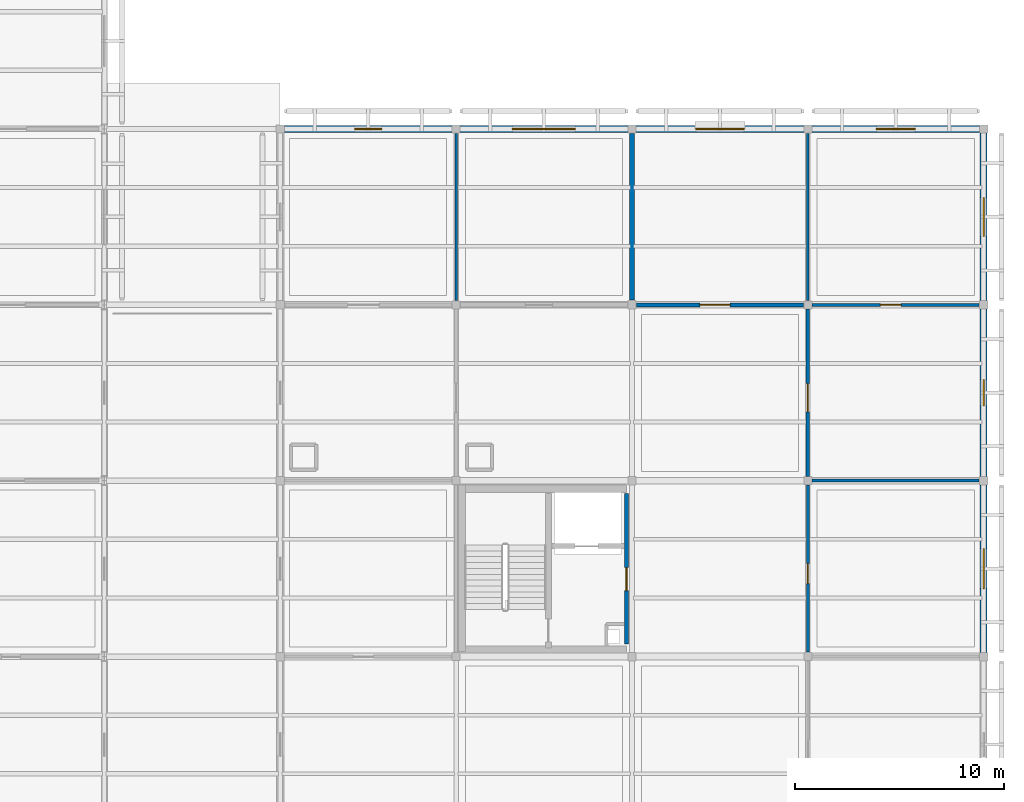
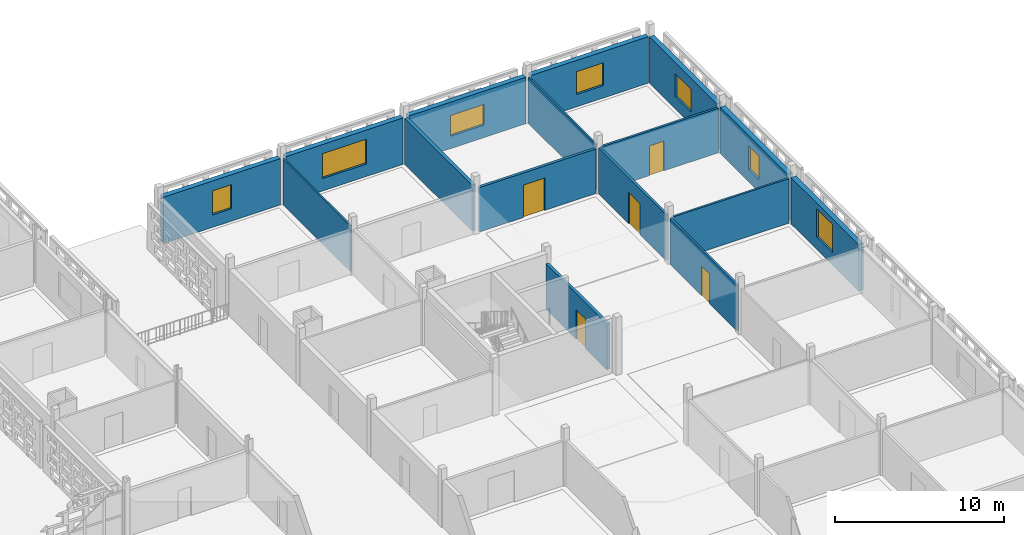
# One storey, part 92 of 140: 16 walls, 7 windows, 5 doors, 12 openings.
"""IFC4 building model written with IfcOpenShell, lengths in metres."""

from ifc_helpers import new_model, si_unit, direction, frame, frame_2d, origin, place, context, subcontext, project, spatial, rectangle, extrude, material, layer, layer_set, type_object, element, fill, save


model = new_model("IFC4")

# Units and contexts
model_context = context("Model", 3, precision=1e-05, world=origin(), true_north=direction((0.0, 1.0)))
body_context = subcontext(model_context, "Body", "Model", "MODEL_VIEW")
ifc_project = project(units=[si_unit("LENGTHUNIT", "METRE"), si_unit("AREAUNIT", "SQUARE_METRE"), si_unit("VOLUMEUNIT", "CUBIC_METRE"), si_unit("PLANEANGLEUNIT", "RADIAN"), si_unit("MASSUNIT", "GRAM", prefix="KILO")], contexts=[model_context])

# Site, building, storey
site_placement = place(None, origin())
site = spatial("IfcSite", under=ifc_project, at=site_placement, CompositionType="ELEMENT")
building_placement = place(site_placement, origin())
building = spatial("IfcBuilding", under=site, at=building_placement, Name="Varnapada Polytechnic", CompositionType="ELEMENT")
storey_placement = place(building_placement, frame((0.0, 0.0, 13.800048828125)))
storey = spatial("IfcBuildingStorey", under=building, at=storey_placement, Name="L03", CompositionType="ELEMENT", Elevation=13.800048828125)

# Wall, opening, door
ifc_material_1 = material(Name="Autoclaved Aerated Concrete Block AAC-600", Category="concrete")
ifc_layer_1 = layer(ifc_material_1, 0.199951171875)
ifc_layer_set_1 = layer_set([ifc_layer_1], Name="Autoclaved Aerated Concrete Block AAC-600")
wall_type_1 = type_object("IfcWallType", Name="Interior Wall IW-01", PredefinedType="PARTITIONING", material=ifc_layer_set_1)
wall_1_placement = place(storey_placement, frame((159.340087890625, 100.199951171875, 0.0), z_axis=(0.0, 0.0, 1.0), x_axis=(0.0, -1.0, 0.0)))
wall_1 = element("IfcWall", 1, at=wall_1_placement, inside=storey, type_object=wall_type_1, Name="L03 C5 firefighting lobby east wall", PredefinedType="PARTITIONING", context=body_context, shape_type="SweptSolid", body=[
    extrude(rectangle(XDim=7.199951171875, YDim=0.199951171875, at=frame_2d((3.60009765625, 0.0))), origin(), (0.0, 0.0, 1.0), 3.320068359375),
])
opening_1_placement = place(wall_1_placement, frame((3.550048828125, 0.0, 0.0)))
opening_1 = element("IfcOpeningElement", 2, at=opening_1_placement, cuts=wall_1, Name="Opening D-1194", PredefinedType="OPENING", context=body_context, shape_type="SweptSolid", body=[
    extrude(rectangle(XDim=1.10009765625, YDim=2.14990234375, at=frame_2d((0.550048828125, 1.074951171875))), frame((0.0, 0.10986328125, 0.0), z_axis=(0.0, -1.0, 0.0), x_axis=(1.0, 0.0, 0.0)), (0.0, 0.0, 1.0), 0.219970703125),
])
ifc_material_2 = material(Name="Galvanized Steel Z275", Category="steel")
door_type_1 = type_object("IfcDoorType", Name="Interior Door ID-01", OperationType="NOTDEFINED", PredefinedType="DOOR", material=ifc_material_2)
door_1_placement = place(opening_1_placement, frame((1.10009765625, 0.0, 0.0), z_axis=(0.0, 0.0, 1.0), x_axis=(-1.0, 0.0, 0.0)))
door_1 = element("IfcDoor", 3, at=door_1_placement, inside=storey, type_object=door_type_1, Name="L03 C5 lobby fire door D-1194", OperationType="SINGLE_SWING_RIGHT", OverallHeight=2.14990234375, OverallWidth=1.10009765625, PredefinedType="DOOR", context=body_context, shape_type="SweptSolid", body=[
    extrude(rectangle(XDim=1.10009765625, YDim=2.14990234375, at=frame_2d((0.550048828125, 1.074951171875))), frame((0.0, 0.02490234375, 0.0), z_axis=(0.0, -1.0, 0.0), x_axis=(1.0, 0.0, 0.0)), (0.0, 0.0, 1.0), 0.050048828125),
])
fill(opening_1, door_1)

ifc_layer_2 = layer(ifc_material_1, 0.14990234375)
ifc_layer_set_2 = layer_set([ifc_layer_2], Name="Autoclaved Aerated Concrete Block AAC-600")
wall_type_2 = type_object("IfcWallType", Name="Interior Wall IW-02", PredefinedType="PARTITIONING", material=ifc_layer_set_2)
wall_2_placement = place(storey_placement, frame((168.2099609375, 109.199951171875, 0.0), z_axis=(0.0, 0.0, 1.0), x_axis=(1.0, 0.0, 0.0)))
wall_2 = element("IfcWall", 4, at=wall_2_placement, inside=storey, type_object=wall_type_2, Name="L03 interior partition IW-L03-20-12-H", PredefinedType="PARTITIONING", context=body_context, shape_type="SweptSolid", body=[
    extrude(rectangle(XDim=7.969970703125, YDim=0.14990234375, at=frame_2d((3.98486328125, 0.0))), origin(), (0.0, 0.0, 1.0), 3.219970703125),
])
opening_2_placement = place(wall_2_placement, frame((3.25, 0.0, 0.0)))
opening_2 = element("IfcOpeningElement", 5, at=opening_2_placement, cuts=wall_2, Name="Opening D-1258", PredefinedType="OPENING", context=body_context, shape_type="SweptSolid", body=[
    extrude(rectangle(XDim=1.0, YDim=2.14990234375, at=frame_2d((0.5, 1.074951171875))), frame((0.0, 0.0849609375, 0.0), z_axis=(0.0, -1.0, 0.0), x_axis=(1.0, 0.0, 0.0)), (0.0, 0.0, 1.0), 0.169921875),
])
ifc_material_3 = material(Name="Solid Teak Hardwood Timber", Category="wood")
door_type_2 = type_object("IfcDoorType", Name="Interior Door ID-02", OperationType="NOTDEFINED", PredefinedType="DOOR", material=ifc_material_3)
door_2_placement = place(opening_2_placement, origin())
door_2 = element("IfcDoor", 6, at=door_2_placement, inside=storey, type_object=door_type_2, Name="L03 interior room door D-1258", OperationType="SINGLE_SWING_LEFT", OverallHeight=2.14990234375, OverallWidth=1.0, PredefinedType="DOOR", context=body_context, shape_type="SweptSolid", body=[
    extrude(rectangle(XDim=1.0, YDim=2.14990234375, at=frame_2d((0.5, 1.074951171875))), frame((0.0, 0.02490234375, 0.0), z_axis=(0.0, -1.0, 0.0), x_axis=(1.0, 0.0, 0.0)), (0.0, 0.0, 1.0), 0.050048828125),
])
fill(opening_2, door_2)

ifc_material_4 = material(Name="Moisture-Resistant Cement Board Partition")
ifc_layer_3 = layer(ifc_material_4, 0.139892578125)
ifc_layer_set_3 = layer_set([ifc_layer_3], Name="Moisture-Resistant Cement Board Partition")
wall_type_3 = type_object("IfcWallType", Name="Interior Wall IW-04", PredefinedType="PARTITIONING", material=ifc_layer_set_3)
wall_3_placement = place(storey_placement, frame((168.0, 92.610107421875, 0.0), z_axis=(0.0, 0.0, 1.0), x_axis=(0.0, 1.0, 0.0)))
wall_3 = element("IfcWall", 7, at=wall_3_placement, inside=storey, type_object=wall_type_3, Name="L03 interior partition IW-L03-19-11-V", PredefinedType="PARTITIONING", context=body_context, shape_type="SweptSolid", body=[
    extrude(rectangle(XDim=7.97998046875, YDim=0.139892578125, at=frame_2d((3.989990234375, 0.0))), origin(), (0.0, 0.0, 1.0), 3.320068359375),
])
opening_3_placement = place(wall_3_placement, frame((3.27490234375, 0.0, 0.0)))
opening_3 = element("IfcOpeningElement", 8, at=opening_3_placement, cuts=wall_3, Name="Opening D-1255", PredefinedType="OPENING", context=body_context, shape_type="SweptSolid", body=[
    extrude(rectangle(XDim=0.949951171875, YDim=2.14990234375, at=frame_2d((0.47509765625, 1.074951171875))), frame((0.0, 0.079833984375, 0.0), z_axis=(0.0, -1.0, 0.0), x_axis=(1.0, 0.0, 0.0)), (0.0, 0.0, 1.0), 0.159912109375),
])
ifc_material_5 = material(Name="Moisture-Resistant HPL Timber", Category="wood")
door_type_3 = type_object("IfcDoorType", Name="Interior Door ID-03", OperationType="NOTDEFINED", PredefinedType="DOOR", material=ifc_material_5)
door_3_placement = place(opening_3_placement, origin())
door_3 = element("IfcDoor", 9, at=door_3_placement, inside=storey, type_object=door_type_3, Name="L03 interior room door D-1255", OperationType="SINGLE_SWING_RIGHT", OverallHeight=2.14990234375, OverallWidth=0.949951171875, PredefinedType="DOOR", context=body_context, shape_type="SweptSolid", body=[
    extrude(rectangle(XDim=0.949951171875, YDim=2.14990234375, at=frame_2d((0.47509765625, 1.074951171875))), frame((0.0, 0.02490234375, 0.0), z_axis=(0.0, -1.0, 0.0), x_axis=(1.0, 0.0, 0.0)), (0.0, 0.0, 1.0), 0.050048828125),
])
fill(opening_3, door_3)

# Wall
wall_4_placement = place(storey_placement, frame((168.2099609375, 100.800048828125, 0.0), z_axis=(0.0, 0.0, 1.0), x_axis=(1.0, 0.0, 0.0)))
element("IfcWall", 10, at=wall_4_placement, inside=storey, type_object=wall_type_3, Name="L03 interior partition IW-L03-20-11-H", PredefinedType="PARTITIONING", context=body_context, shape_type="SweptSolid", body=[
    extrude(rectangle(XDim=7.969970703125, YDim=0.139892578125, at=frame_2d((3.98486328125, 0.0))), origin(), (0.0, 0.0, 1.0), 3.219970703125),
])

# Wall, opening, door
ifc_material_6 = material(Name="Double-Layer Fireboard Workshop Wall")
ifc_layer_4 = layer(ifc_material_6, 0.169921875)
ifc_layer_set_4 = layer_set([ifc_layer_4], Name="Double-Layer Fireboard Workshop Wall")
wall_type_4 = type_object("IfcWallType", Name="Interior Wall IW-10", PredefinedType="PARTITIONING", material=ifc_layer_set_4)
wall_5_placement = place(storey_placement, frame((168.0, 101.010009765625, 0.0), z_axis=(0.0, 0.0, 1.0), x_axis=(0.0, 1.0, 0.0)))
wall_5 = element("IfcWall", 11, at=wall_5_placement, inside=storey, type_object=wall_type_4, Name="L03 interior partition IW-L03-19-12-V", PredefinedType="PARTITIONING", context=body_context, shape_type="SweptSolid", body=[
    extrude(rectangle(XDim=7.97998046875, YDim=0.169921875, at=frame_2d((3.989990234375, 0.0))), origin(), (0.0, 0.0, 1.0), 3.320068359375),
])
opening_4_placement = place(wall_5_placement, frame((3.074951171875, 0.0, 0.0)))
opening_4 = element("IfcOpeningElement", 12, at=opening_4_placement, cuts=wall_5, Name="Opening D-1256", PredefinedType="OPENING", context=body_context, shape_type="SweptSolid", body=[
    extrude(rectangle(XDim=1.35009765625, YDim=2.25, at=frame_2d((0.675048828125, 1.125))), frame((0.0, 0.094970703125, 0.0), z_axis=(0.0, -1.0, 0.0), x_axis=(1.0, 0.0, 0.0)), (0.0, 0.0, 1.0), 0.18994140625),
])
ifc_material_7 = material(Name="Powder-Coated Aluminium 6063-T6", Category="aluminium")
door_type_4 = type_object("IfcDoorType", Name="Interior Door ID-17", OperationType="NOTDEFINED", PredefinedType="DOOR", material=ifc_material_7)
door_4_placement = place(opening_4_placement, frame((1.35009765625, 0.0, 0.0), z_axis=(0.0, 0.0, 1.0), x_axis=(-1.0, 0.0, 0.0)))
door_4 = element("IfcDoor", 13, at=door_4_placement, inside=storey, type_object=door_type_4, Name="L03 interior room door D-1256", OperationType="SINGLE_SWING_LEFT", OverallHeight=2.25, OverallWidth=1.35009765625, PredefinedType="DOOR", context=body_context, shape_type="SweptSolid", body=[
    extrude(rectangle(XDim=1.35009765625, YDim=2.25, at=frame_2d((0.675048828125, 1.125))), frame((0.0, 0.02490234375, 0.0), z_axis=(0.0, -1.0, 0.0), x_axis=(1.0, 0.0, 0.0)), (0.0, 0.0, 1.0), 0.050048828125),
])
fill(opening_4, door_4)

ifc_material_8 = material(Name="Insulated Masonry Plant Room Wall", Category="masonry")
ifc_layer_5 = layer(ifc_material_8, 0.18994140625)
ifc_layer_set_5 = layer_set([ifc_layer_5], Name="Insulated Masonry Plant Room Wall")
wall_type_5 = type_object("IfcWallType", Name="Interior Wall IW-11", PredefinedType="PARTITIONING", material=ifc_layer_set_5)
wall_6_placement = place(storey_placement, frame((159.820068359375, 109.199951171875, 0.0), z_axis=(0.0, 0.0, 1.0), x_axis=(1.0, 0.0, 0.0)))
wall_6 = element("IfcWall", 14, at=wall_6_placement, inside=storey, type_object=wall_type_5, Name="L03 interior partition IW-L03-19-12-H", PredefinedType="PARTITIONING", context=body_context, shape_type="SweptSolid", body=[
    extrude(rectangle(XDim=7.969970703125, YDim=0.18994140625, at=frame_2d((3.98486328125, 0.0))), origin(), (0.0, 0.0, 1.0), 3.219970703125),
])
opening_5_placement = place(wall_6_placement, frame((3.02490234375, 0.0, 0.0)))
opening_5 = element("IfcOpeningElement", 15, at=opening_5_placement, cuts=wall_6, Name="Opening D-1257", PredefinedType="OPENING", context=body_context, shape_type="SweptSolid", body=[
    extrude(rectangle(XDim=1.449951171875, YDim=2.35009765625, at=frame_2d((0.72509765625, 1.175048828125))), frame((0.0, 0.10498046875, 0.0), z_axis=(0.0, -1.0, 0.0), x_axis=(1.0, 0.0, 0.0)), (0.0, 0.0, 1.0), 0.2099609375),
])
door_type_5 = type_object("IfcDoorType", Name="Interior Door ID-18", OperationType="NOTDEFINED", PredefinedType="DOOR", material=ifc_material_2)
door_5_placement = place(opening_5_placement, origin())
door_5 = element("IfcDoor", 16, at=door_5_placement, inside=storey, type_object=door_type_5, Name="L03 interior room door D-1257", OperationType="SINGLE_SWING_RIGHT", OverallHeight=2.35009765625, OverallWidth=1.449951171875, PredefinedType="DOOR", context=body_context, shape_type="SweptSolid", body=[
    extrude(rectangle(XDim=1.449951171875, YDim=2.35009765625, at=frame_2d((0.72509765625, 1.175048828125))), frame((0.0, 0.02490234375, 0.0), z_axis=(0.0, -1.0, 0.0), x_axis=(1.0, 0.0, 0.0)), (0.0, 0.0, 1.0), 0.050048828125),
])
fill(opening_5, door_5)

# Walls
ifc_material_9 = material(Name="Timber-Stud Studio Critique Partition", Category="wood")
ifc_layer_6 = layer(ifc_material_9, 0.114990234375)
ifc_layer_set_6 = layer_set([ifc_layer_6], Name="Timber-Stud Studio Critique Partition")
wall_type_6 = type_object("IfcWallType", Name="Interior Wall IW-12", PredefinedType="PARTITIONING", material=ifc_layer_set_6)
for number, where, z_axis, x_axis, name in (
    (17, (151.199951171875, 109.409912109375, 0.0), (0.0, 0.0, 1.0), (0.0, 1.0, 0.0), "L03 interior partition IW-L03-17-13-V"),
    (18, (168.0, 109.409912109375, 0.0), (0.0, 0.0, 1.0), (0.0, 1.0, 0.0), "L03 interior partition IW-L03-19-13-V"),
):
    element("IfcWall", number, at=place(storey_placement, frame(where, z_axis=z_axis, x_axis=x_axis)), inside=storey, type_object=wall_type_6, Name=name, PredefinedType="PARTITIONING", context=body_context, shape_type="SweptSolid", body=[
        extrude(rectangle(XDim=7.97998046875, YDim=0.114990234375, at=frame_2d((3.989990234375, 0.0))), origin(), (0.0, 0.0, 1.0), 3.320068359375),
    ])
ifc_material_10 = material(Name="Double-Leaf Acoustic Lecture Wall")
ifc_layer_7 = layer(ifc_material_10, 0.235107421875)
ifc_layer_set_7 = layer_set([ifc_layer_7], Name="Double-Leaf Acoustic Lecture Wall")
wall_type_7 = type_object("IfcWallType", Name="Interior Wall IW-17", PredefinedType="PARTITIONING", material=ifc_layer_set_7)
wall_7_placement = place(storey_placement, frame((159.60009765625, 109.419921875, 0.0), z_axis=(0.0, 0.0, 1.0), x_axis=(0.0, 1.0, 0.0)))
element("IfcWall", 19, at=wall_7_placement, inside=storey, type_object=wall_type_7, Name="L03 interior partition IW-L03-18-13-V", PredefinedType="PARTITIONING", context=body_context, shape_type="SweptSolid", body=[
    extrude(rectangle(XDim=7.9599609375, YDim=0.235107421875, at=frame_2d((3.97998046875, 0.0))), origin(), (0.0, 0.0, 1.0), 3.320068359375),
])

# Wall, opening, window
ifc_material_11 = material(Name="Precast concrete C40/50", Category="concrete")
ifc_layer_8 = layer(ifc_material_11, 0.340087890625)
ifc_layer_set_8 = layer_set([ifc_layer_8], Name="Precast concrete C40/50")
wall_type_8 = type_object("IfcWallType", Name="Wall EW-07", PredefinedType="SOLIDWALL", material=ifc_layer_set_8)
wall_8_placement = place(storey_placement, frame((143.0, 117.60009765625, 0.0), z_axis=(0.0, 0.0, 1.0), x_axis=(1.0, 0.0, 0.0)))
wall_8 = element("IfcWall", 20, at=wall_8_placement, inside=storey, type_object=wall_type_8, Name="L03 exterior wall EW-07 (86)", PredefinedType="SOLIDWALL", context=body_context, shape_type="SweptSolid", body=[
    extrude(rectangle(XDim=8.010009765625, YDim=0.340087890625, at=frame_2d((4.0048828125, 0.0))), origin(), (0.0, 0.0, 1.0), 3.35986328125),
])
opening_6_placement = place(wall_8_placement, frame((3.35498046875, 0.0, 0.89990234375)))
opening_6 = element("IfcOpeningElement", 21, at=opening_6_placement, cuts=wall_8, Name="Opening WN-09", PredefinedType="OPENING", context=body_context, shape_type="SweptSolid", body=[
    extrude(rectangle(XDim=1.300048828125, YDim=1.75, at=frame_2d((0.64990234375, 0.875))), frame((0.0, 0.179931640625, 0.0), z_axis=(0.0, -1.0, 0.0), x_axis=(1.0, 0.0, 0.0)), (0.0, 0.0, 1.0), 0.360107421875),
])
ifc_material_12 = material(Name="Double low-E laminated glass", Category="glass")
window_type_1 = type_object("IfcWindowType", Name="Window WN-09", PartitioningType="SINGLE_PANEL", PredefinedType="WINDOW", material=ifc_material_12)
window_1_placement = place(opening_6_placement, origin())
window_1 = element("IfcWindow", 22, at=window_1_placement, inside=storey, type_object=window_type_1, Name="L03 window WN-09 (163)", OverallHeight=1.75, OverallWidth=1.300048828125, PartitioningType="SINGLE_PANEL", PredefinedType="WINDOW", context=body_context, shape_type="SweptSolid", body=[
    extrude(rectangle(XDim=1.300048828125, YDim=1.75, at=frame_2d((0.64990234375, 0.875))), frame((0.0, 0.030029296875, 0.0), z_axis=(0.0, -1.0, 0.0), x_axis=(1.0, 0.0, 0.0)), (0.0, 0.0, 1.0), 0.06005859375),
])
fill(opening_6, window_1)

wall_9_placement = place(storey_placement, frame((151.389892578125, 117.60009765625, 0.0), z_axis=(0.0, 0.0, 1.0), x_axis=(1.0, 0.0, 0.0)))
wall_9 = element("IfcWall", 23, at=wall_9_placement, inside=storey, type_object=wall_type_8, Name="L03 exterior wall EW-07 (89)", PredefinedType="SOLIDWALL", context=body_context, shape_type="SweptSolid", body=[
    extrude(rectangle(XDim=8.010009765625, YDim=0.340087890625, at=frame_2d((4.0048828125, 0.0))), origin(), (0.0, 0.0, 1.0), 3.35986328125),
])
opening_7_placement = place(wall_9_placement, frame((2.5048828125, 0.0, 0.89990234375)))
opening_7 = element("IfcOpeningElement", 24, at=opening_7_placement, cuts=wall_9, Name="Opening WN-14", PredefinedType="OPENING", context=body_context, shape_type="SweptSolid", body=[
    extrude(rectangle(XDim=3.0, YDim=1.800048828125, at=frame_2d((1.5, 0.89990234375))), frame((0.0, 0.179931640625, 0.0), z_axis=(0.0, -1.0, 0.0), x_axis=(1.0, 0.0, 0.0)), (0.0, 0.0, 1.0), 0.360107421875),
])
window_type_2 = type_object("IfcWindowType", Name="Window WN-14", PartitioningType="SINGLE_PANEL", PredefinedType="WINDOW", material=ifc_material_12)
window_2_placement = place(opening_7_placement, origin())
window_2 = element("IfcWindow", 25, at=window_2_placement, inside=storey, type_object=window_type_2, Name="L03 window WN-14 (166)", OverallHeight=1.800048828125, OverallWidth=3.0, PartitioningType="SINGLE_PANEL", PredefinedType="WINDOW", context=body_context, shape_type="SweptSolid", body=[
    extrude(rectangle(XDim=3.0, YDim=1.800048828125, at=frame_2d((1.5, 0.89990234375))), frame((0.0, 0.030029296875, 0.0), z_axis=(0.0, -1.0, 0.0), x_axis=(1.0, 0.0, 0.0)), (0.0, 0.0, 1.0), 0.06005859375),
])
fill(opening_7, window_2)

wall_10_placement = place(storey_placement, frame((159.800048828125, 117.60009765625, 0.0), z_axis=(0.0, 0.0, 1.0), x_axis=(1.0, 0.0, 0.0)))
wall_10 = element("IfcWall", 26, at=wall_10_placement, inside=storey, type_object=wall_type_8, Name="L03 exterior wall EW-07 (91)", PredefinedType="SOLIDWALL", context=body_context, shape_type="SweptSolid", body=[
    extrude(rectangle(XDim=8.010009765625, YDim=0.340087890625, at=frame_2d((4.0048828125, 0.0))), origin(), (0.0, 0.0, 1.0), 3.35986328125),
])
opening_8_placement = place(wall_10_placement, frame((2.85498046875, 0.0, 0.89990234375)))
opening_8 = element("IfcOpeningElement", 27, at=opening_8_placement, cuts=wall_10, Name="Opening WN-19", PredefinedType="OPENING", context=body_context, shape_type="SweptSolid", body=[
    extrude(rectangle(XDim=2.300048828125, YDim=1.5, at=frame_2d((1.14990234375, 0.75))), frame((0.0, 0.179931640625, 0.0), z_axis=(0.0, -1.0, 0.0), x_axis=(1.0, 0.0, 0.0)), (0.0, 0.0, 1.0), 0.360107421875),
])
window_type_3 = type_object("IfcWindowType", Name="Window WN-19", PartitioningType="SINGLE_PANEL", PredefinedType="WINDOW", material=ifc_material_12)
window_3_placement = place(opening_8_placement, origin())
window_3 = element("IfcWindow", 28, at=window_3_placement, inside=storey, type_object=window_type_3, Name="L03 window WN-19 (168)", OverallHeight=1.5, OverallWidth=2.300048828125, PartitioningType="SINGLE_PANEL", PredefinedType="WINDOW", context=body_context, shape_type="SweptSolid", body=[
    extrude(rectangle(XDim=2.300048828125, YDim=1.5, at=frame_2d((1.14990234375, 0.75))), frame((0.0, 0.030029296875, 0.0), z_axis=(0.0, -1.0, 0.0), x_axis=(1.0, 0.0, 0.0)), (0.0, 0.0, 1.0), 0.06005859375),
])
fill(opening_8, window_3)

wall_11_placement = place(storey_placement, frame((176.39990234375, 100.60009765625, 0.0), z_axis=(0.0, 0.0, 1.0), x_axis=(0.0, -1.0, 0.0)))
wall_11 = element("IfcWall", 29, at=wall_11_placement, inside=storey, type_object=wall_type_8, Name="L03 exterior wall EW-07 (97)", PredefinedType="SOLIDWALL", context=body_context, shape_type="SweptSolid", body=[
    extrude(rectangle(XDim=8.0, YDim=0.340087890625, at=frame_2d((4.0, 0.0))), origin(), (0.0, 0.0, 1.0), 3.35986328125),
])
opening_9_placement = place(wall_11_placement, frame((3.050048828125, 0.0, 0.89990234375)))
opening_9 = element("IfcOpeningElement", 30, at=opening_9_placement, cuts=wall_11, Name="Opening WN-18", PredefinedType="OPENING", context=body_context, shape_type="SweptSolid", body=[
    extrude(rectangle(XDim=1.89990234375, YDim=2.050048828125, at=frame_2d((0.949951171875, 1.02490234375))), frame((0.0, 0.179931640625, 0.0), z_axis=(0.0, -1.0, 0.0), x_axis=(1.0, 0.0, 0.0)), (0.0, 0.0, 1.0), 0.360107421875),
])
window_type_4 = type_object("IfcWindowType", Name="Window WN-18", PartitioningType="SINGLE_PANEL", PredefinedType="WINDOW", material=ifc_material_12)
window_4_placement = place(opening_9_placement, origin())
window_4 = element("IfcWindow", 31, at=window_4_placement, inside=storey, type_object=window_type_4, Name="L03 window WN-18 (174)", OverallHeight=2.050048828125, OverallWidth=1.89990234375, PartitioningType="SINGLE_PANEL", PredefinedType="WINDOW", context=body_context, shape_type="SweptSolid", body=[
    extrude(rectangle(XDim=1.89990234375, YDim=2.050048828125, at=frame_2d((0.949951171875, 1.02490234375))), frame((0.0, 0.030029296875, 0.0), z_axis=(0.0, -1.0, 0.0), x_axis=(1.0, 0.0, 0.0)), (0.0, 0.0, 1.0), 0.06005859375),
])
fill(opening_9, window_4)

wall_12_placement = place(storey_placement, frame((176.39990234375, 109.0, 0.0), z_axis=(0.0, 0.0, 1.0), x_axis=(0.0, -1.0, 0.0)))
wall_12 = element("IfcWall", 32, at=wall_12_placement, inside=storey, type_object=wall_type_8, Name="L03 exterior wall EW-07 (98)", PredefinedType="SOLIDWALL", context=body_context, shape_type="SweptSolid", body=[
    extrude(rectangle(XDim=8.0, YDim=0.340087890625, at=frame_2d((4.0, 0.0))), origin(), (0.0, 0.0, 1.0), 3.35986328125),
])
opening_10_placement = place(wall_12_placement, frame((3.375, 0.0, 0.89990234375)))
opening_10 = element("IfcOpeningElement", 33, at=opening_10_placement, cuts=wall_12, Name="Opening WN-21", PredefinedType="OPENING", context=body_context, shape_type="SweptSolid", body=[
    extrude(rectangle(XDim=1.25, YDim=1.699951171875, at=frame_2d((0.625, 0.85009765625))), frame((0.0, 0.179931640625, 0.0), z_axis=(0.0, -1.0, 0.0), x_axis=(1.0, 0.0, 0.0)), (0.0, 0.0, 1.0), 0.360107421875),
])
window_type_5 = type_object("IfcWindowType", Name="Window WN-21", PartitioningType="SINGLE_PANEL", PredefinedType="WINDOW", material=ifc_material_12)
window_5_placement = place(opening_10_placement, origin())
window_5 = element("IfcWindow", 34, at=window_5_placement, inside=storey, type_object=window_type_5, Name="L03 window WN-21 (175)", OverallHeight=1.699951171875, OverallWidth=1.25, PartitioningType="SINGLE_PANEL", PredefinedType="WINDOW", context=body_context, shape_type="SweptSolid", body=[
    extrude(rectangle(XDim=1.25, YDim=1.699951171875, at=frame_2d((0.625, 0.85009765625))), frame((0.0, 0.030029296875, 0.0), z_axis=(0.0, -1.0, 0.0), x_axis=(1.0, 0.0, 0.0)), (0.0, 0.0, 1.0), 0.06005859375),
])
fill(opening_10, window_5)

wall_13_placement = place(storey_placement, frame((168.18994140625, 117.60009765625, 0.0), z_axis=(0.0, 0.0, 1.0), x_axis=(1.0, 0.0, 0.0)))
wall_13 = element("IfcWall", 35, at=wall_13_placement, inside=storey, type_object=wall_type_8, Name="L03 exterior wall EW-07 (99)", PredefinedType="SOLIDWALL", context=body_context, shape_type="SweptSolid", body=[
    extrude(rectangle(XDim=8.010009765625, YDim=0.340087890625, at=frame_2d((4.0048828125, 0.0))), origin(), (0.0, 0.0, 1.0), 3.35986328125),
])
opening_11_placement = place(wall_13_placement, frame((3.080078125, 0.0, 0.89990234375)))
opening_11 = element("IfcOpeningElement", 36, at=opening_11_placement, cuts=wall_13, Name="Opening WN-24", PredefinedType="OPENING", context=body_context, shape_type="SweptSolid", body=[
    extrude(rectangle(XDim=1.85009765625, YDim=1.64990234375, at=frame_2d((0.925048828125, 0.824951171875))), frame((0.0, 0.179931640625, 0.0), z_axis=(0.0, -1.0, 0.0), x_axis=(1.0, 0.0, 0.0)), (0.0, 0.0, 1.0), 0.360107421875),
])
window_type_6 = type_object("IfcWindowType", Name="Window WN-24", PartitioningType="SINGLE_PANEL", PredefinedType="WINDOW", material=ifc_material_12)
window_6_placement = place(opening_11_placement, origin())
window_6 = element("IfcWindow", 37, at=window_6_placement, inside=storey, type_object=window_type_6, Name="L03 window WN-24 (176)", OverallHeight=1.64990234375, OverallWidth=1.85009765625, PartitioningType="SINGLE_PANEL", PredefinedType="WINDOW", context=body_context, shape_type="SweptSolid", body=[
    extrude(rectangle(XDim=1.85009765625, YDim=1.64990234375, at=frame_2d((0.925048828125, 0.824951171875))), frame((0.0, 0.030029296875, 0.0), z_axis=(0.0, -1.0, 0.0), x_axis=(1.0, 0.0, 0.0)), (0.0, 0.0, 1.0), 0.06005859375),
])
fill(opening_11, window_6)

wall_14_placement = place(storey_placement, frame((176.39990234375, 117.39990234375, 0.0), z_axis=(0.0, 0.0, 1.0), x_axis=(0.0, -1.0, 0.0)))
wall_14 = element("IfcWall", 38, at=wall_14_placement, inside=storey, type_object=wall_type_8, Name="L03 exterior wall EW-07 (100)", PredefinedType="SOLIDWALL", context=body_context, shape_type="SweptSolid", body=[
    extrude(rectangle(XDim=8.0, YDim=0.340087890625, at=frame_2d((4.0, 0.0))), origin(), (0.0, 0.0, 1.0), 3.35986328125),
])
opening_12_placement = place(wall_14_placement, frame((3.074951171875, 0.0, 0.89990234375)))
opening_12 = element("IfcOpeningElement", 39, at=opening_12_placement, cuts=wall_14, Name="Opening WN-24", PredefinedType="OPENING", context=body_context, shape_type="SweptSolid", body=[
    extrude(rectangle(XDim=1.85009765625, YDim=1.64990234375, at=frame_2d((0.925048828125, 0.824951171875))), frame((0.0, 0.179931640625, 0.0), z_axis=(0.0, -1.0, 0.0), x_axis=(1.0, 0.0, 0.0)), (0.0, 0.0, 1.0), 0.360107421875),
])
window_7_placement = place(opening_12_placement, origin())
window_7 = element("IfcWindow", 40, at=window_7_placement, inside=storey, type_object=window_type_6, Name="L03 window WN-24 (177)", OverallHeight=1.64990234375, OverallWidth=1.85009765625, PartitioningType="SINGLE_PANEL", PredefinedType="WINDOW", context=body_context, shape_type="SweptSolid", body=[
    extrude(rectangle(XDim=1.85009765625, YDim=1.64990234375, at=frame_2d((0.925048828125, 0.824951171875))), frame((0.0, 0.030029296875, 0.0), z_axis=(0.0, -1.0, 0.0), x_axis=(1.0, 0.0, 0.0)), (0.0, 0.0, 1.0), 0.06005859375),
])
fill(opening_12, window_7)

save(model, "model.ifc")
